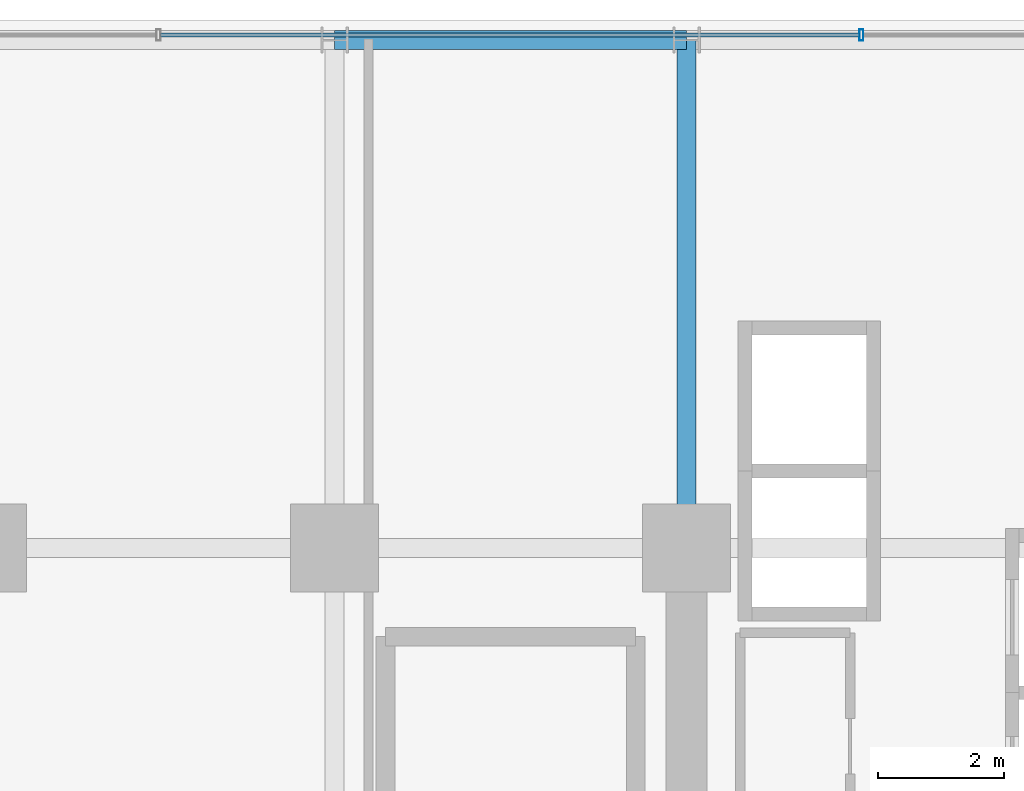
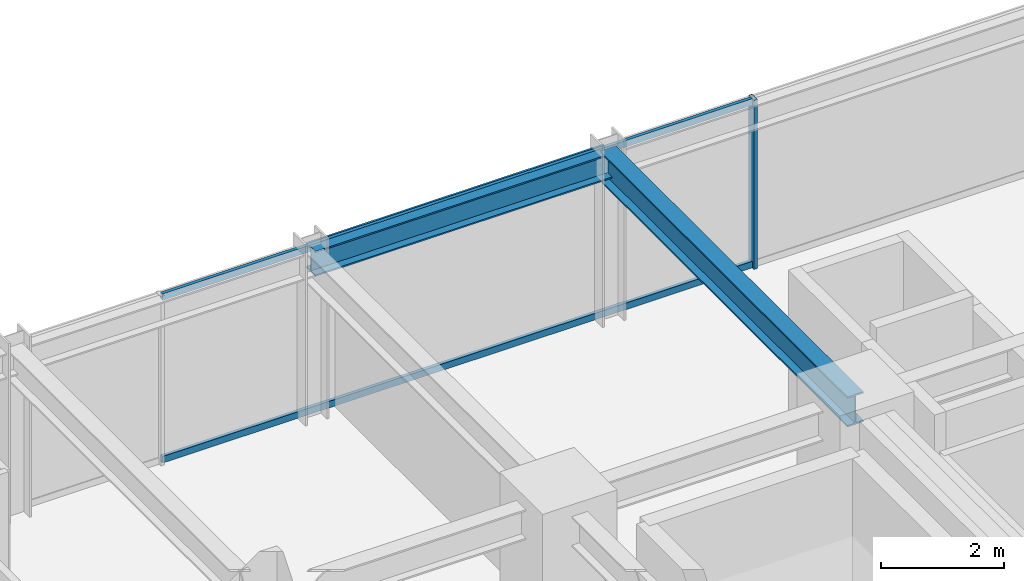
# One storey, part 27 of 37: 3 members, 2 beams, 1 element without a shape of its own.
"""IFC4 building model written with IfcOpenShell, lengths in metres."""

from ifc_helpers import new_model, si_unit, direction, frame, origin, origin_2d, place, context, subcontext, project, spatial, hollow_rectangle, i_section, extrude, source, transform, mapped, material, material_profile, profile_set, type_object, element, aggregate, save


model = new_model("IFC4")

# Units and contexts
model_context = context("Model", 3, precision=1e-05, world=origin(), true_north=direction((0.0, 1.0)))
body_context = subcontext(model_context, "Body", "Model", "MODEL_VIEW")
ifc_project = project(units=[si_unit("LENGTHUNIT", "METRE"), si_unit("AREAUNIT", "SQUARE_METRE"), si_unit("VOLUMEUNIT", "CUBIC_METRE"), si_unit("PLANEANGLEUNIT", "RADIAN"), si_unit("MASSUNIT", "GRAM", prefix="KILO")], contexts=[model_context])

# Site, building, storey
site_placement = place(None, origin())
site = spatial("IfcSite", under=ifc_project, at=site_placement, CompositionType="ELEMENT")
building_placement = place(site_placement, origin())
building = spatial("IfcBuilding", under=site, at=building_placement, Name="Nahalor Promenade Grand Hotel", CompositionType="ELEMENT")
storey_placement = place(building_placement, frame((0.0, 0.0, 36.050048828125)))
storey = spatial("IfcBuildingStorey", under=building, at=storey_placement, Name="L07", CompositionType="ELEMENT", Elevation=36.050048828125)

# Beams
ifc_material_1 = material(Name="Steel S355JR", Category="steel")
ifc_material_profile_1 = material_profile(ifc_material_1, i_section(OverallWidth=0.3, OverallDepth=0.5, WebThickness=0.0145, FlangeThickness=0.028, at=origin_2d()), Name="HEB 500")
ifc_profile_set_1 = profile_set([ifc_material_profile_1], Name="Steel S355JR")
beam_type_1 = type_object("IfcBeamType", Name="Beam-Spandrel-HEB500", PredefinedType="SPANDREL", material=ifc_profile_set_1)
shared_shape_1 = source(origin(), body_context, "Body", "SweptSolid", [
    extrude(i_section(OverallWidth=0.3, OverallDepth=0.5, WebThickness=0.0145, FlangeThickness=0.028, at=origin_2d()), origin(), (0.0, 0.0, 1.0), 5.599853515625),
])
beam_1_placement = place(storey_placement, frame((2.800048828125, 25.080078125, 3.119873046875), z_axis=(1.0, 0.0, 0.0), x_axis=(0.0, 1.0, 0.0)))
element("IfcBeam", 1, at=beam_1_placement, inside=storey, type_object=beam_type_1, Name="BM-L07-SP-N-3", PredefinedType="SPANDREL", context=body_context, shape_type="MappedRepresentation", body=[
    mapped(shared_shape_1, transform((0.0, 0.0, 0.0), scale=1.0)),
])
ifc_material_profile_2 = material_profile(ifc_material_1, i_section(OverallWidth=0.3, OverallDepth=0.6, WebThickness=0.0155, FlangeThickness=0.03, at=origin_2d()), Name="HEB 600")
ifc_profile_set_2 = profile_set([ifc_material_profile_2], Name="Steel S355JR")
beam_type_2 = type_object("IfcBeamType", Name="Beam-Girder-HEB600", PredefinedType="BEAM", material=ifc_profile_set_2)
shared_shape_2 = source(origin(), body_context, "Body", "SweptSolid", [
    extrude(i_section(OverallWidth=0.3, OverallDepth=0.6, WebThickness=0.0155, FlangeThickness=0.03, at=origin_2d()), origin(), (0.0, 0.0, 1.0), 8.080078125),
])
beam_2_placement = place(storey_placement, frame((8.39990234375, 17.0, 3.070068359375), z_axis=(0.0, 1.0, 0.0), x_axis=(-1.0, 0.0, 0.0)))
element("IfcBeam", 2, at=beam_2_placement, inside=storey, type_object=beam_type_2, Name="BM-L07-GY-4-4", PredefinedType="BEAM", context=body_context, shape_type="MappedRepresentation", body=[
    mapped(shared_shape_2, transform((0.0, 0.0, 0.0), scale=1.0)),
])

# Curtain wall, members
ifc_material_2 = material(Name="Anodised Bronze Aluminium EN AW-6063 T6", Category="aluminium")
curtain_wall_type = type_object("IfcCurtainWallType", Name="CW2 Typical Hotel Flush Bronze Unitised Curtain Wall", PredefinedType="USERDEFINED", material=ifc_material_2)
curtain_wall_placement = place(storey_placement, origin())
curtain_wall = element("IfcCurtainWall", 3, at=curtain_wall_placement, inside=storey, type_object=curtain_wall_type, Name="L07 Curtain Wall CW-L07-N-1", ObjectType="UNITISED_CURTAIN_WALL", PredefinedType="USERDEFINED")
ifc_material_profile_3 = material_profile(ifc_material_2, hollow_rectangle(XDim=0.065, YDim=0.13, WallThickness=0.004, at=origin_2d()), Name="CWT 65x130x4")
ifc_profile_set_3 = profile_set([ifc_material_profile_3], Name="Anodised Bronze Aluminium EN AW-6063 T6")
member_type_1 = type_object("IfcMemberType", Name="CWT2 Typical Bronze Transom 65x130", PredefinedType="USERDEFINED", material=ifc_profile_set_3)
shared_shape_3 = source(origin(), body_context, "Body", "SweptSolid", [
    extrude(hollow_rectangle(XDim=0.065, YDim=0.13, WallThickness=0.004, at=origin_2d()), origin(), (0.0, 0.0, 1.0), 11.114990234375),
])
member_1_placement = place(storey_placement, frame((0.032470703125, 25.159912109375, 0.06494140625), z_axis=(1.0, 0.0, 0.0), x_axis=(0.0, 1.0, 0.0)))
member_1 = element("IfcMember", 4, at=member_1_placement, type_object=member_type_1, Name="CW-L07-N-1 Transom 2-0", ObjectType="TRANSOM", PredefinedType="USERDEFINED", context=body_context, shape_type="MappedRepresentation", body=[
    mapped(shared_shape_3, transform((0.0, 0.0, 0.0), scale=1.0)),
])
member_2_placement = place(storey_placement, frame((0.032470703125, 25.159912109375, 3.304931640625), z_axis=(1.0, 0.0, 0.0), x_axis=(0.0, 1.0, 0.0)))
member_2 = element("IfcMember", 5, at=member_2_placement, type_object=member_type_1, Name="CW-L07-N-1 Transom 2-1", ObjectType="TRANSOM", PredefinedType="USERDEFINED", context=body_context, shape_type="MappedRepresentation", body=[
    mapped(shared_shape_3, transform((0.0, 0.0, 0.0), scale=1.0)),
])
ifc_material_profile_4 = material_profile(ifc_material_2, hollow_rectangle(XDim=0.065, YDim=0.18, WallThickness=0.004, at=origin_2d()), Name="CWM 65x180x4")
ifc_profile_set_4 = profile_set([ifc_material_profile_4], Name="Anodised Bronze Aluminium EN AW-6063 T6")
member_type_2 = type_object("IfcMemberType", Name="CWM2 Typical Bronze Mullion 65x180", PredefinedType="MULLION", material=ifc_profile_set_4)
shared_shape_4 = source(origin(), body_context, "Body", "SweptSolid", [
    extrude(hollow_rectangle(XDim=0.065, YDim=0.18, WallThickness=0.004, at=origin_2d()), origin(), (0.0, 0.0, 1.0), 3.369873046875),
])
member_3_placement = place(storey_placement, frame((11.179931640625, 25.159912109375, 0.0), z_axis=(0.0, 0.0, 1.0), x_axis=(1.0, 0.0, 0.0)))
member_3 = element("IfcMember", 6, at=member_3_placement, type_object=member_type_2, Name="CW-L07-N-1 Mullion 3", PredefinedType="MULLION", context=body_context, shape_type="MappedRepresentation", body=[
    mapped(shared_shape_4, transform((0.0, 0.0, 0.0), scale=1.0)),
])
aggregate(curtain_wall, [member_3, member_1, member_2])

save(model, "model.ifc")
